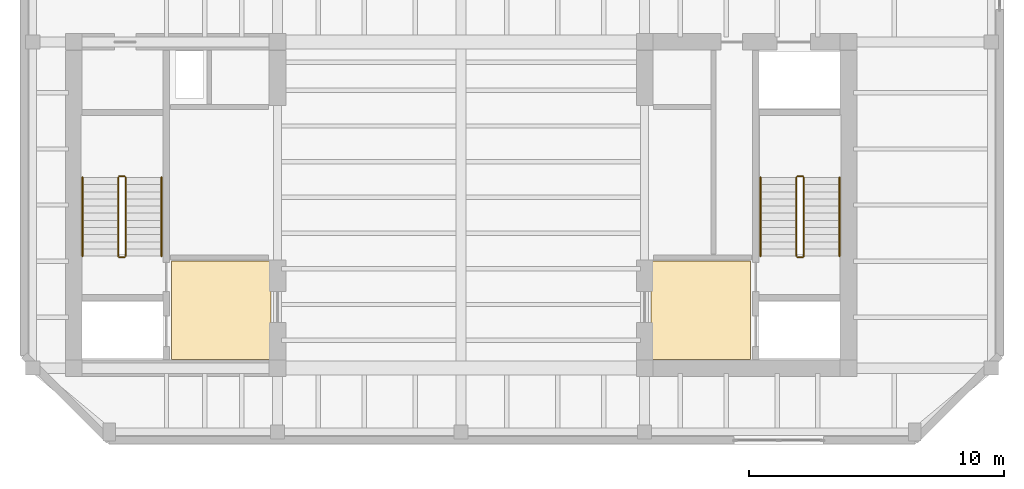
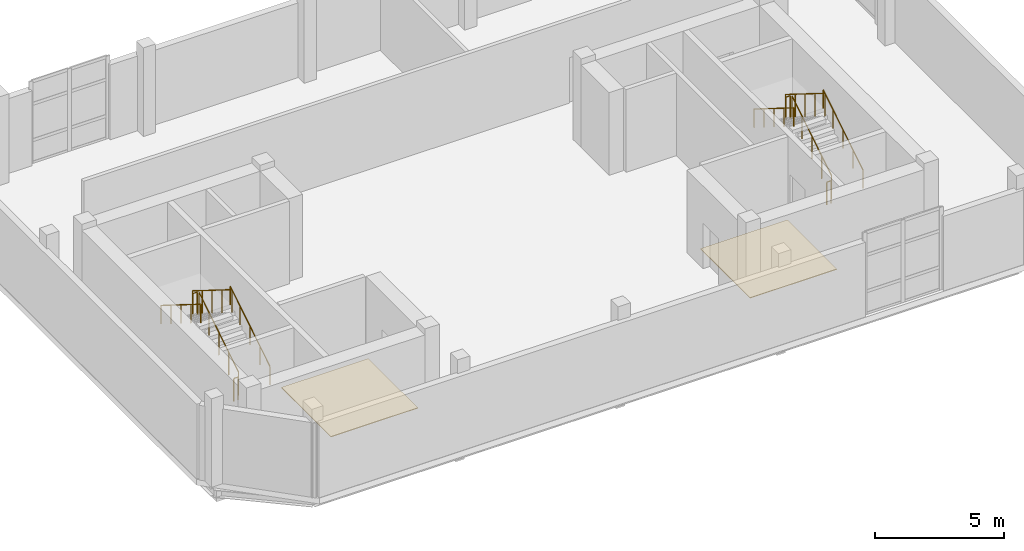
# One storey, part 7 of 7: 12 railings, 2 coverings.
"""IFC4 building model written with IfcOpenShell, lengths in metres."""

import ifcopenshell
import ifcopenshell.guid

model = None  # the IFC model being written
_history = None  # IfcOwnerHistory: only IFC2X3 demands one
_inside = {}  # id of a spatial element -> (the spatial element, [elements in it])
_under = {}  # id of a project, library or spatial element -> (it, [spatial elements below it])
_declared = {}  # id of a project -> (the project, [libraries it declares])
_typed = {}  # id of a type object -> (the type object, [elements of that type])
_made_of = {}  # id of a material, layer set ... -> (it, [elements and type objects made of it])


def new_model(schema):
    """Start an empty IFC model of exactly this schema.

    Asked for "IFC4X3", IfcOpenShell would pick the latest addendum, in which some entities
    have other attributes; the version numbers below select the first issue.
    IFC2X3 requires an IfcOwnerHistory on every rooted entity: one is made here for all.
    """
    global model, _history
    if schema == "IFC4X3":
        model = ifcopenshell.file(schema_version=(4, 3, 0, 0))
    else:
        model = ifcopenshell.file(schema=schema)
    _inside.clear()
    _under.clear()
    _declared.clear()
    _typed.clear()
    _made_of.clear()
    _history = None
    if model.schema == "IFC2X3":
        org = make("IfcOrganization", Name="unknown")
        user = make(
            "IfcPersonAndOrganization",
            ThePerson=make("IfcPerson", FamilyName="unknown"),
            TheOrganization=org,
        )
        app = make(
            "IfcApplication",
            ApplicationDeveloper=org,
            Version="unknown",
            ApplicationFullName="unknown",
            ApplicationIdentifier="unknown",
        )
        _history = make(
            "IfcOwnerHistory",
            OwningUser=user,
            OwningApplication=app,
            ChangeAction="ADDED",
            CreationDate=0,
        )
    return model


def make(cls, **values):
    """One entity of the class cls with the attributes given. An attribute that is None is left unset."""
    return model.create_entity(
        cls, **{name: value for name, value in values.items() if value is not None}
    )


def rooted(cls, **values):
    """An entity with a GlobalId (a new one), such as an element, a storey or a relation."""
    return make(cls, GlobalId=ifcopenshell.guid.new(), OwnerHistory=_history, **values)


def si_unit(unit_type, name, prefix=None):
    """IfcSIUnit, for example si_unit("LENGTHUNIT", "METRE", prefix="MILLI")."""
    return make("IfcSIUnit", UnitType=unit_type, Prefix=prefix, Name=name)


def assignment(units):
    """IfcUnitAssignment: the units of a project."""
    return None if units is None else make("IfcUnitAssignment", Units=units)


def point(xyz):
    """IfcCartesianPoint."""
    return None if xyz is None else make("IfcCartesianPoint", Coordinates=xyz)


def direction(xyz):
    """IfcDirection."""
    return None if xyz is None else make("IfcDirection", DirectionRatios=xyz)


def frame(location, z_axis=None, x_axis=None):
    """IfcAxis2Placement3D, a coordinate frame: its origin and axes. An axis left out is left unset."""
    return make(
        "IfcAxis2Placement3D",
        Location=point(location),
        Axis=direction(z_axis),
        RefDirection=direction(x_axis),
    )


def frame_2d(location, x_axis=None):
    """IfcAxis2Placement2D, a coordinate frame in the plane: its origin and x axis."""
    return make(
        "IfcAxis2Placement2D", Location=point(location), RefDirection=direction(x_axis)
    )


def origin():
    """The frame at (0, 0, 0) with its axes left unset."""
    return frame((0.0, 0.0, 0.0))


def origin_2d():
    """The frame at (0, 0) in the plane with its x axis left unset."""
    return frame_2d((0.0, 0.0))


def place(relative_to, where):
    """IfcLocalPlacement: puts the frame where relative to a parent placement (None: the world)."""
    return make(
        "IfcLocalPlacement", PlacementRelTo=relative_to, RelativePlacement=where
    )


def context(
    kind, dimensions, precision=None, world=None, true_north=None, identifier=None
):
    """IfcGeometricRepresentationContext, for example the 3D "Model" context."""
    return make(
        "IfcGeometricRepresentationContext",
        ContextIdentifier=identifier,
        ContextType=kind,
        CoordinateSpaceDimension=dimensions,
        Precision=precision,
        WorldCoordinateSystem=world,
        TrueNorth=true_north,
    )


def subcontext(parent, identifier, kind, view, scale=None):
    """IfcGeometricRepresentationSubContext, for example "Body" below "Model"."""
    return make(
        "IfcGeometricRepresentationSubContext",
        ContextIdentifier=identifier,
        ContextType=kind,
        ParentContext=parent,
        TargetScale=scale,
        TargetView=view,
    )


def project(units=None, contexts=None):
    """IfcProject with its units and contexts."""
    return rooted(
        "IfcProject",
        Name="project",
        RepresentationContexts=contexts,
        UnitsInContext=assignment(units),
    )


def spatial(cls, under=None, at=None, **own):
    """A site, building, storey or space (cls), placed at a placement, below another one or the project."""
    s = rooted(cls, ObjectPlacement=at, **own)
    if under is not None:
        _under.setdefault(under.id(), (under, []))[1].append(s)
    return s


def polyline(points):
    """IfcPolyline through the points."""
    return make("IfcPolyline", Points=[point(p) for p in points])


def profile(cls, at=None, kind="AREA", **sizes):
    """A parametric profile (cls). Its sizes go by their IFC names, for example OverallWidth=200.0."""
    return make(cls, ProfileType=kind, Position=at, **sizes)


def circle(**sizes):
    """IfcCircleProfileDef."""
    return profile("IfcCircleProfileDef", **sizes)


def outline(outer, holes=None, kind="AREA"):
    """IfcArbitraryClosedProfileDef: a profile drawn as a closed curve; with holes, ...WithVoids."""
    if holes is None:
        return make("IfcArbitraryClosedProfileDef", ProfileType=kind, OuterCurve=outer)
    return make(
        "IfcArbitraryProfileDefWithVoids",
        ProfileType=kind,
        OuterCurve=outer,
        InnerCurves=holes,
    )


def extrude(swept, where, along, depth):
    """IfcExtrudedAreaSolid: the profile swept, set in the frame where, extruded along a direction by depth."""
    return make(
        "IfcExtrudedAreaSolid",
        SweptArea=swept,
        Position=where,
        ExtrudedDirection=direction(along),
        Depth=depth,
    )


def shape(context_of_items, identifier, shape_type, items):
    """IfcShapeRepresentation: the items that make up one representation, for example the "Body"."""
    return make(
        "IfcShapeRepresentation",
        ContextOfItems=context_of_items,
        RepresentationIdentifier=identifier,
        RepresentationType=shape_type,
        Items=items,
    )


def material(Name=None, Category=None):
    """IfcMaterial."""
    return make("IfcMaterial", Name=Name, Category=Category)


def layer(
    of_material, thickness, ventilated=None, Name=None, Category=None, Priority=None
):
    """IfcMaterialLayer: one layer of a wall or slab, of a material (None: an air gap)."""
    return make(
        "IfcMaterialLayer",
        Material=of_material,
        LayerThickness=thickness,
        IsVentilated=ventilated,
        Name=Name,
        Category=Category,
        Priority=Priority,
    )


def layer_set(layers, Name=None):
    """IfcMaterialLayerSet."""
    return make("IfcMaterialLayerSet", MaterialLayers=layers, LayerSetName=Name)


def made_of(thing, what):
    """Note that an element or type object is made of a material, layer set ...; save() writes the relation."""
    if what is not None:
        _made_of.setdefault(what.id(), (what, []))[1].append(thing)
    return thing


def type_object(cls, material=None, **own):
    """A type object (cls), such as IfcWallType, which elements share."""
    return made_of(rooted(cls, **own), material)


def element(
    cls,
    number,
    at=None,
    inside=None,
    cuts=None,
    type_object=None,
    material=None,
    context=None,
    identifier="Body",
    shape_type=None,
    held_by="IfcProductDefinitionShape",
    body=None,
    shapes=None,
    **own,
):
    """One element of the class cls, such as IfcWall. Its Tag is "e" and its number.

    at: its placement. inside: the storey or other place that contains it. cuts: it is an
    opening in that element (IfcRelVoidsElement). A single representation is given by context,
    identifier, shape_type and body (its items); several are given by shapes. held_by: the class
    of the entity that holds the representations. save() writes the other relations.
    """
    e = rooted(cls, Tag="e%d" % number, ObjectPlacement=at, **own)
    if body is not None:
        shapes = [shape(context, identifier, shape_type, body)]
    if shapes is not None:
        e.Representation = make(held_by, Representations=shapes)
    if inside is not None:
        _inside.setdefault(inside.id(), (inside, []))[1].append(e)
    if cuts is not None:
        rooted(
            "IfcRelVoidsElement", RelatingBuildingElement=cuts, RelatedOpeningElement=e
        )
    if type_object is not None:
        _typed.setdefault(type_object.id(), (type_object, []))[1].append(e)
    return made_of(e, material)


def aggregate(whole, parts):
    """IfcRelAggregates: a whole, such as a stair, and the parts it consists of."""
    return rooted("IfcRelAggregates", RelatingObject=whole, RelatedObjects=parts)


def save(model, path):
    """Write the relations noted so far, then the file.

    IfcRelAggregates (storeys below a building ...), IfcRelContainedInSpatialStructure (elements
    in a storey), IfcRelDefinesByType, IfcRelAssociatesMaterial and IfcRelDeclares: one each for
    every whole, place, type object, material and project.
    """
    for whole, parts in _under.values():
        aggregate(whole, parts)
    for where, things in _inside.values():
        rooted(
            "IfcRelContainedInSpatialStructure",
            RelatedElements=things,
            RelatingStructure=where,
        )
    for kind, things in _typed.values():
        rooted("IfcRelDefinesByType", RelatedObjects=things, RelatingType=kind)
    for what, things in _made_of.values():
        rooted("IfcRelAssociatesMaterial", RelatedObjects=things, RelatingMaterial=what)
    for by, libraries in _declared.values():
        rooted("IfcRelDeclares", RelatingContext=by, RelatedDefinitions=libraries)
    model.write(path)


model = new_model("IFC4")

# Units and contexts
model_context = context("Model", 3, precision=1e-05, world=origin(), true_north=direction((0.0, 1.0)))
body_context = subcontext(model_context, "Body", "Model", "MODEL_VIEW")
ifc_project = project(units=[si_unit("LENGTHUNIT", "METRE"), si_unit("AREAUNIT", "SQUARE_METRE"), si_unit("VOLUMEUNIT", "CUBIC_METRE"), si_unit("PLANEANGLEUNIT", "RADIAN"), si_unit("MASSUNIT", "GRAM", prefix="KILO")], contexts=[model_context])

# Site, building, storey
site_placement = place(None, origin())
site = spatial("IfcSite", under=ifc_project, at=site_placement, CompositionType="ELEMENT")
building_placement = place(site_placement, origin())
building = spatial("IfcBuilding", under=site, at=building_placement, Name="Kranthara Brick Stack", CompositionType="ELEMENT")
storey_placement = place(building_placement, frame((0.0, 0.0, 304.800048828125)))
storey = spatial("IfcBuildingStorey", under=building, at=storey_placement, Name="L80", CompositionType="ELEMENT", Elevation=304.800048828125)

# Coverings
ifc_material_1 = material(Name="Honed terrazzo and porcelain floor finish", Category="stone")
ifc_layer = layer(ifc_material_1, 0.030029296875)
ifc_layer_set = layer_set([ifc_layer], Name="Honed terrazzo and porcelain floor finish")
covering_type = type_object("IfcCoveringType", Name="COV-FLOR-STONE", PredefinedType="FLOORING", material=ifc_layer_set)
covering_1_placement = place(storey_placement, origin())
element("IfcCovering", 1, at=covering_1_placement, inside=storey, type_object=covering_type, Name="L80 Lift Lobby Stone Flooring", PredefinedType="FLOORING", context=body_context, shape_type="SweptSolid", body=[
    extrude(outline(polyline([(20.550048828125, 21.14990234375), (20.550048828125, 25.0), (16.64990234375, 25.0), (16.64990234375, 21.14990234375), (20.550048828125, 21.14990234375)])), origin(), (0.0, 0.0, 1.0), 0.030029296875),
])
covering_2_placement = place(storey_placement, origin())
element("IfcCovering", 2, at=covering_2_placement, inside=storey, type_object=covering_type, Name="L80 Lift Lobby Stone Flooring", PredefinedType="FLOORING", context=body_context, shape_type="SweptSolid", body=[
    extrude(outline(polyline([(39.35009765625, 21.14990234375), (39.35009765625, 25.0), (35.449951171875, 25.0), (35.449951171875, 21.14990234375), (39.35009765625, 21.14990234375)])), origin(), (0.0, 0.0, 1.0), 0.030029296875),
])

# Railings
ifc_material_2 = material(Name="Painted galvanized steel stair guardrail", Category="steel")
railing_type_1 = type_object("IfcRailingType", Name="RL-STAIR-GUARD-1100", PredefinedType="GUARDRAIL", material=ifc_material_2)
railing_1_placement = place(storey_placement, frame((14.85009765625, 25.199951171875, 0.175048828125)))
element("IfcRailing", 3, at=railing_1_placement, inside=storey, type_object=railing_type_1, Name="L80 ST01 stair guard 1", PredefinedType="GUARDRAIL", context=body_context, shape_type="SweptSolid", body=[
    extrude(circle(Radius=0.02392578125, at=origin_2d()), frame((0.0, 0.0, 1.076171875), z_axis=(0.0, 0.848028513186, 0.529950602248), x_axis=(-1.0, 0.0, 0.0)), (0.0, 0.0, 1.0), 3.632080078125),
    extrude(circle(Radius=0.02099609375, at=origin_2d()), origin(), (0.0, 0.0, 1.0), 1.052001953125),
    extrude(circle(Radius=0.02099609375, at=origin_2d()), frame((0.0, 0.77001953125, 0.481201171875)), (0.0, 0.0, 1.0), 1.052001953125),
    extrude(circle(Radius=0.02099609375, at=origin_2d()), frame((0.0, 1.5400390625, 0.96240234375)), (0.0, 0.0, 1.0), 1.052001953125),
    extrude(circle(Radius=0.02099609375, at=origin_2d()), frame((0.0, 2.31005859375, 1.443603515625)), (0.0, 0.0, 1.0), 1.052001953125),
    extrude(circle(Radius=0.02099609375, at=origin_2d()), frame((0.0, 3.080078125, 1.9248046875)), (0.0, 0.0, 1.0), 1.052001953125),
])
railing_2_placement = place(storey_placement, frame((14.800048828125, 28.330078125, 2.099853515625)))
element("IfcRailing", 4, at=railing_2_placement, inside=storey, type_object=railing_type_1, Name="L80 ST01 stair guard 2", PredefinedType="GUARDRAIL", context=body_context, shape_type="SweptSolid", body=[
    extrude(circle(Radius=0.02392578125, at=origin_2d()), frame((0.0, 0.0, 1.076171875), z_axis=(-1.0, 0.0, 0.0), x_axis=(0.0, -1.0, 0.0)), (0.0, 0.0, 1.0), 0.199951171875),
    extrude(circle(Radius=0.02099609375, at=origin_2d()), origin(), (0.0, 0.0, 1.0), 1.052001953125),
    extrude(circle(Radius=0.02099609375, at=origin_2d()), frame((-0.199951171875, 0.0, 0.0)), (0.0, 0.0, 1.0), 1.052001953125),
])
railing_3_placement = place(storey_placement, frame((14.550048828125, 28.280029296875, 2.27490234375)))
element("IfcRailing", 5, at=railing_3_placement, inside=storey, type_object=railing_type_1, Name="L80 ST01 stair guard 3", PredefinedType="GUARDRAIL", context=body_context, shape_type="SweptSolid", body=[
    extrude(circle(Radius=0.02392578125, at=origin_2d()), frame((0.0, 0.0, 1.076171875), z_axis=(0.0, -0.847998304005, 0.529998940003), x_axis=(1.0, 0.0, 0.0)), (0.0, 0.0, 1.0), 3.632080078125),
    extrude(circle(Radius=0.02099609375, at=origin_2d()), origin(), (0.0, 0.0, 1.0), 1.052001953125),
    extrude(circle(Radius=0.02099609375, at=origin_2d()), frame((0.0, -0.77001953125, 0.481201171875)), (0.0, 0.0, 1.0), 1.052001953125),
    extrude(circle(Radius=0.02099609375, at=origin_2d()), frame((0.0, -1.5400390625, 0.96240234375)), (0.0, 0.0, 1.0), 1.052001953125),
    extrude(circle(Radius=0.02099609375, at=origin_2d()), frame((0.0, -2.31005859375, 1.44384765625)), (0.0, 0.0, 1.0), 1.052001953125),
    extrude(circle(Radius=0.02099609375, at=origin_2d()), frame((0.0, -3.080078125, 1.925048828125)), (0.0, 0.0, 1.0), 1.052001953125),
])
railing_4_placement = place(storey_placement, frame((14.800048828125, 25.14990234375, 0.0)))
element("IfcRailing", 6, at=railing_4_placement, inside=storey, type_object=railing_type_1, Name="L80 ST01 stair guard 4", PredefinedType="GUARDRAIL", context=body_context, shape_type="SweptSolid", body=[
    extrude(circle(Radius=0.02392578125, at=origin_2d()), frame((0.0, 0.0, 1.076171875), z_axis=(-1.0, 0.0, 0.0), x_axis=(0.0, -1.0, 0.0)), (0.0, 0.0, 1.0), 0.199951171875),
    extrude(circle(Radius=0.02099609375, at=origin_2d()), origin(), (0.0, 0.0, 1.0), 1.052001953125),
    extrude(circle(Radius=0.02099609375, at=origin_2d()), frame((-0.199951171875, 0.0, 0.0)), (0.0, 0.0, 1.0), 1.052001953125),
])
railing_5_placement = place(storey_placement, frame((41.449951171875, 25.199951171875, 0.175048828125)))
element("IfcRailing", 7, at=railing_5_placement, inside=storey, type_object=railing_type_1, Name="L80 ST02 stair guard 1", PredefinedType="GUARDRAIL", context=body_context, shape_type="SweptSolid", body=[
    extrude(circle(Radius=0.02392578125, at=origin_2d()), frame((0.0, 0.0, 1.076171875), z_axis=(0.0, 0.848028513186, 0.529950602248), x_axis=(-1.0, 0.0, 0.0)), (0.0, 0.0, 1.0), 3.632080078125),
    extrude(circle(Radius=0.02099609375, at=origin_2d()), origin(), (0.0, 0.0, 1.0), 1.052001953125),
    extrude(circle(Radius=0.02099609375, at=origin_2d()), frame((0.0, 0.77001953125, 0.481201171875)), (0.0, 0.0, 1.0), 1.052001953125),
    extrude(circle(Radius=0.02099609375, at=origin_2d()), frame((0.0, 1.5400390625, 0.96240234375)), (0.0, 0.0, 1.0), 1.052001953125),
    extrude(circle(Radius=0.02099609375, at=origin_2d()), frame((0.0, 2.31005859375, 1.443603515625)), (0.0, 0.0, 1.0), 1.052001953125),
    extrude(circle(Radius=0.02099609375, at=origin_2d()), frame((0.0, 3.080078125, 1.9248046875)), (0.0, 0.0, 1.0), 1.052001953125),
])
railing_6_placement = place(storey_placement, frame((41.39990234375, 28.330078125, 2.099853515625)))
element("IfcRailing", 8, at=railing_6_placement, inside=storey, type_object=railing_type_1, Name="L80 ST02 stair guard 2", PredefinedType="GUARDRAIL", context=body_context, shape_type="SweptSolid", body=[
    extrude(circle(Radius=0.02392578125, at=origin_2d()), frame((0.0, 0.0, 1.076171875), z_axis=(-1.0, 0.0, 0.0), x_axis=(0.0, -1.0, 0.0)), (0.0, 0.0, 1.0), 0.199951171875),
    extrude(circle(Radius=0.02099609375, at=origin_2d()), origin(), (0.0, 0.0, 1.0), 1.052001953125),
    extrude(circle(Radius=0.02099609375, at=origin_2d()), frame((-0.199951171875, 0.0, 0.0)), (0.0, 0.0, 1.0), 1.052001953125),
])
railing_7_placement = place(storey_placement, frame((41.14990234375, 28.280029296875, 2.27490234375)))
element("IfcRailing", 9, at=railing_7_placement, inside=storey, type_object=railing_type_1, Name="L80 ST02 stair guard 3", PredefinedType="GUARDRAIL", context=body_context, shape_type="SweptSolid", body=[
    extrude(circle(Radius=0.02392578125, at=origin_2d()), frame((0.0, 0.0, 1.076171875), z_axis=(0.0, -0.847998304005, 0.529998940003), x_axis=(1.0, 0.0, 0.0)), (0.0, 0.0, 1.0), 3.632080078125),
    extrude(circle(Radius=0.02099609375, at=origin_2d()), origin(), (0.0, 0.0, 1.0), 1.052001953125),
    extrude(circle(Radius=0.02099609375, at=origin_2d()), frame((0.0, -0.77001953125, 0.481201171875)), (0.0, 0.0, 1.0), 1.052001953125),
    extrude(circle(Radius=0.02099609375, at=origin_2d()), frame((0.0, -1.5400390625, 0.96240234375)), (0.0, 0.0, 1.0), 1.052001953125),
    extrude(circle(Radius=0.02099609375, at=origin_2d()), frame((0.0, -2.31005859375, 1.44384765625)), (0.0, 0.0, 1.0), 1.052001953125),
    extrude(circle(Radius=0.02099609375, at=origin_2d()), frame((0.0, -3.080078125, 1.925048828125)), (0.0, 0.0, 1.0), 1.052001953125),
])
railing_8_placement = place(storey_placement, frame((41.39990234375, 25.14990234375, 0.0)))
element("IfcRailing", 10, at=railing_8_placement, inside=storey, type_object=railing_type_1, Name="L80 ST02 stair guard 4", PredefinedType="GUARDRAIL", context=body_context, shape_type="SweptSolid", body=[
    extrude(circle(Radius=0.02392578125, at=origin_2d()), frame((0.0, 0.0, 1.076171875), z_axis=(-1.0, 0.0, 0.0), x_axis=(0.0, -1.0, 0.0)), (0.0, 0.0, 1.0), 0.199951171875),
    extrude(circle(Radius=0.02099609375, at=origin_2d()), origin(), (0.0, 0.0, 1.0), 1.052001953125),
    extrude(circle(Radius=0.02099609375, at=origin_2d()), frame((-0.199951171875, 0.0, 0.0)), (0.0, 0.0, 1.0), 1.052001953125),
])
ifc_material_3 = material(Name="Brushed stainless steel tubular handrail", Category="steel")
railing_type_2 = type_object("IfcRailingType", Name="RL-STAIR-HAND-900", PredefinedType="HANDRAIL", material=ifc_material_3)
railing_9_placement = place(storey_placement, frame((16.25, 25.199951171875, 0.175048828125)))
element("IfcRailing", 11, at=railing_9_placement, inside=storey, type_object=railing_type_2, Name="L80 ST01 stair handrail 1", PredefinedType="HANDRAIL", context=body_context, shape_type="SweptSolid", body=[
    extrude(circle(Radius=0.02392578125, at=origin_2d()), frame((0.0, 0.0, 0.8759765625), z_axis=(0.0, 0.848028513186, 0.529950602248), x_axis=(-1.0, 0.0, 0.0)), (0.0, 0.0, 1.0), 3.632080078125),
    extrude(circle(Radius=0.02099609375, at=origin_2d()), origin(), (0.0, 0.0, 1.0), 0.851806640625),
    extrude(circle(Radius=0.02099609375, at=origin_2d()), frame((0.0, 0.77001953125, 0.481201171875)), (0.0, 0.0, 1.0), 0.851806640625),
    extrude(circle(Radius=0.02099609375, at=origin_2d()), frame((0.0, 1.5400390625, 0.96240234375)), (0.0, 0.0, 1.0), 0.851806640625),
    extrude(circle(Radius=0.02099609375, at=origin_2d()), frame((0.0, 2.31005859375, 1.443603515625)), (0.0, 0.0, 1.0), 0.851806640625),
    extrude(circle(Radius=0.02099609375, at=origin_2d()), frame((0.0, 3.080078125, 1.9248046875)), (0.0, 0.0, 1.0), 0.851806640625),
])
railing_10_placement = place(storey_placement, frame((13.14990234375, 28.280029296875, 2.27490234375)))
element("IfcRailing", 12, at=railing_10_placement, inside=storey, type_object=railing_type_2, Name="L80 ST01 stair handrail 2", PredefinedType="HANDRAIL", context=body_context, shape_type="SweptSolid", body=[
    extrude(circle(Radius=0.02392578125, at=origin_2d()), frame((0.0, 0.0, 0.8759765625), z_axis=(0.0, -0.847998304005, 0.529998940003), x_axis=(1.0, 0.0, 0.0)), (0.0, 0.0, 1.0), 3.632080078125),
    extrude(circle(Radius=0.02099609375, at=origin_2d()), origin(), (0.0, 0.0, 1.0), 0.851806640625),
    extrude(circle(Radius=0.02099609375, at=origin_2d()), frame((0.0, -0.77001953125, 0.481201171875)), (0.0, 0.0, 1.0), 0.851806640625),
    extrude(circle(Radius=0.02099609375, at=origin_2d()), frame((0.0, -1.5400390625, 0.96240234375)), (0.0, 0.0, 1.0), 0.851806640625),
    extrude(circle(Radius=0.02099609375, at=origin_2d()), frame((0.0, -2.31005859375, 1.44384765625)), (0.0, 0.0, 1.0), 0.851806640625),
    extrude(circle(Radius=0.02099609375, at=origin_2d()), frame((0.0, -3.080078125, 1.925048828125)), (0.0, 0.0, 1.0), 0.851806640625),
])
railing_11_placement = place(storey_placement, frame((42.85009765625, 25.199951171875, 0.175048828125)))
element("IfcRailing", 13, at=railing_11_placement, inside=storey, type_object=railing_type_2, Name="L80 ST02 stair handrail 1", PredefinedType="HANDRAIL", context=body_context, shape_type="SweptSolid", body=[
    extrude(circle(Radius=0.02392578125, at=origin_2d()), frame((0.0, 0.0, 0.8759765625), z_axis=(0.0, 0.848028513186, 0.529950602248), x_axis=(-1.0, 0.0, 0.0)), (0.0, 0.0, 1.0), 3.632080078125),
    extrude(circle(Radius=0.02099609375, at=origin_2d()), origin(), (0.0, 0.0, 1.0), 0.851806640625),
    extrude(circle(Radius=0.02099609375, at=origin_2d()), frame((0.0, 0.77001953125, 0.481201171875)), (0.0, 0.0, 1.0), 0.851806640625),
    extrude(circle(Radius=0.02099609375, at=origin_2d()), frame((0.0, 1.5400390625, 0.96240234375)), (0.0, 0.0, 1.0), 0.851806640625),
    extrude(circle(Radius=0.02099609375, at=origin_2d()), frame((0.0, 2.31005859375, 1.443603515625)), (0.0, 0.0, 1.0), 0.851806640625),
    extrude(circle(Radius=0.02099609375, at=origin_2d()), frame((0.0, 3.080078125, 1.9248046875)), (0.0, 0.0, 1.0), 0.851806640625),
])
railing_12_placement = place(storey_placement, frame((39.75, 28.280029296875, 2.27490234375)))
element("IfcRailing", 14, at=railing_12_placement, inside=storey, type_object=railing_type_2, Name="L80 ST02 stair handrail 2", PredefinedType="HANDRAIL", context=body_context, shape_type="SweptSolid", body=[
    extrude(circle(Radius=0.02392578125, at=origin_2d()), frame((0.0, 0.0, 0.8759765625), z_axis=(0.0, -0.847998304005, 0.529998940003), x_axis=(1.0, 0.0, 0.0)), (0.0, 0.0, 1.0), 3.632080078125),
    extrude(circle(Radius=0.02099609375, at=origin_2d()), origin(), (0.0, 0.0, 1.0), 0.851806640625),
    extrude(circle(Radius=0.02099609375, at=origin_2d()), frame((0.0, -0.77001953125, 0.481201171875)), (0.0, 0.0, 1.0), 0.851806640625),
    extrude(circle(Radius=0.02099609375, at=origin_2d()), frame((0.0, -1.5400390625, 0.96240234375)), (0.0, 0.0, 1.0), 0.851806640625),
    extrude(circle(Radius=0.02099609375, at=origin_2d()), frame((0.0, -2.31005859375, 1.44384765625)), (0.0, 0.0, 1.0), 0.851806640625),
    extrude(circle(Radius=0.02099609375, at=origin_2d()), frame((0.0, -3.080078125, 1.925048828125)), (0.0, 0.0, 1.0), 0.851806640625),
])

save(model, "model.ifc")
